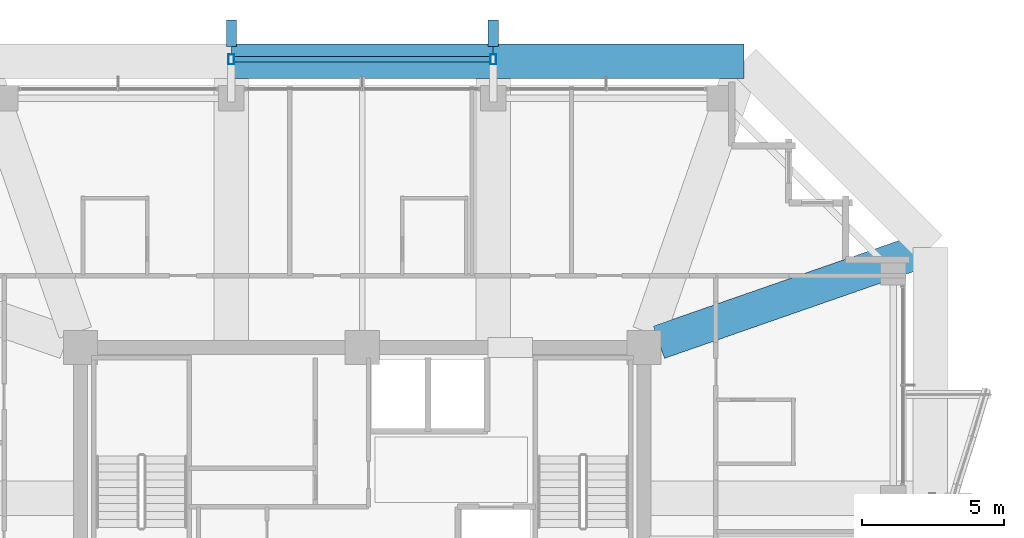
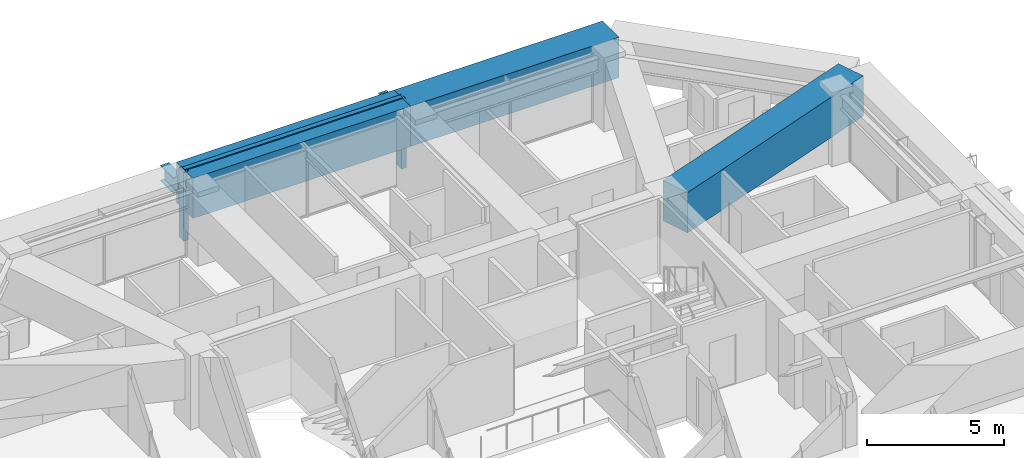
# One storey, part 26 of 40: 5 beams, 3 members.
"""IFC4 building model written with IfcOpenShell, lengths in metres."""

from ifc_helpers import new_model, si_unit, direction, frame, origin, origin_2d, place, context, subcontext, project, spatial, rectangle, hollow_rectangle, i_section, extrude, material, material_profile, profile_set, type_object, element, save


model = new_model("IFC4")

# Units and contexts
model_context = context("Model", 3, precision=1e-05, world=origin(), true_north=direction((0.0, 1.0)))
body_context = subcontext(model_context, "Body", "Model", "MODEL_VIEW")
ifc_project = project(units=[si_unit("LENGTHUNIT", "METRE"), si_unit("AREAUNIT", "SQUARE_METRE"), si_unit("VOLUMEUNIT", "CUBIC_METRE"), si_unit("PLANEANGLEUNIT", "RADIAN"), si_unit("MASSUNIT", "GRAM", prefix="KILO")], contexts=[model_context])

# Site, building, storey
site_placement = place(None, origin())
site = spatial("IfcSite", under=ifc_project, at=site_placement, CompositionType="ELEMENT")
building_placement = place(site_placement, origin())
building = spatial("IfcBuilding", under=site, at=building_placement, Name="Kolvaren Belvedere", CompositionType="ELEMENT")
storey_placement = place(building_placement, frame((0.0, 0.0, 170.10009765625)))
storey = spatial("IfcBuildingStorey", under=building, at=storey_placement, Name="L49", CompositionType="ELEMENT", Elevation=170.10009765625)

# Beams
ifc_material_1 = material(Name="Structural steel ASTM A992 Grade 50", Category="steel")
ifc_material_profile_1 = material_profile(ifc_material_1, i_section(OverallWidth=0.35498046875, OverallDepth=0.696044921875, WebThickness=0.015380859375, FlangeThickness=0.02490234375, FilletRadius=0.02197265625, at=origin_2d()), Name="W27X146")
ifc_profile_set_1 = profile_set([ifc_material_profile_1], Name="Structural steel ASTM A992 Grade 50")
beam_type_1 = type_object("IfcBeamType", Name="BM-CANT-BAL", PredefinedType="BEAM", material=ifc_profile_set_1)
for number, where, z_axis, x_axis, name in (
    (1, (4.60009765625, 20.469970703125, 2.141845703125), (0.0, 1.0, 0.0), (-1.0, 0.0, 0.0), "L49 North Picture-Frame Column Corbel P"),
    (2, (-4.60009765625, 20.469970703125, 2.141845703125), (0.0, 1.0, 0.0), (-1.0, 0.0, 0.0), "L49 North Picture-Frame Column Corbel M"),
):
    element("IfcBeam", number, at=place(storey_placement, frame(where, z_axis=z_axis, x_axis=x_axis)), inside=storey, type_object=beam_type_1, Name=name, PredefinedType="BEAM", context=body_context, shape_type="SweptSolid", body=[
        extrude(i_section(OverallWidth=0.35498046875, OverallDepth=0.696044921875, WebThickness=0.015380859375, FlangeThickness=0.02490234375, FilletRadius=0.02197265625, at=origin_2d()), origin(), (0.0, 0.0, 1.0), 0.929931640625),
    ])
ifc_material_2 = material(Name="Concrete C50/60", Category="concrete")
ifc_material_profile_2 = material_profile(ifc_material_2, rectangle(XDim=1.199951171875, YDim=1.800048828125, at=origin_2d()), Name="RC 1200X1800")
ifc_profile_set_2 = profile_set([ifc_material_profile_2], Name="Concrete C50/60")
beam_type_2 = type_object("IfcBeamType", Name="BM-TG-1800", PredefinedType="BEAM", material=ifc_profile_set_2)
beam_1_placement = place(storey_placement, frame((13.39990234375, 19.949951171875, 2.179931640625), z_axis=(-1.0, 0.0, 0.0), x_axis=(0.0, -1.0, 0.0)))
element("IfcBeam", 3, at=beam_1_placement, inside=storey, type_object=beam_type_2, Name="L49 Step Transfer Ring Girder N4-N3", PredefinedType="BEAM", context=body_context, shape_type="SweptSolid", body=[
    extrude(rectangle(XDim=1.199951171875, YDim=1.800048828125, at=origin_2d()), origin(), (0.0, 0.0, 1.0), 8.7998046875),
])
beam_2_placement = place(storey_placement, frame((4.60009765625, 19.949951171875, 2.179931640625), z_axis=(-1.0, 0.0, 0.0), x_axis=(0.0, -1.0, 0.0)))
element("IfcBeam", 4, at=beam_2_placement, inside=storey, type_object=beam_type_2, Name="L49 Step Transfer Ring Girder N3-N2", PredefinedType="BEAM", context=body_context, shape_type="SweptSolid", body=[
    extrude(rectangle(XDim=1.199951171875, YDim=1.800048828125, at=origin_2d()), origin(), (0.0, 0.0, 1.0), 9.2001953125),
])
beam_3_placement = place(storey_placement, frame((10.41943359375, 10.080810546875, 2.179931640625), z_axis=(0.944363863132, 0.328902560054, 0.0), x_axis=(-0.328902560054, 0.944363863132, 0.0)))
element("IfcBeam", 5, at=beam_3_placement, inside=storey, type_object=beam_type_2, Name="L49 Corner Core-to-Perimeter Girder CC3-E4", PredefinedType="BEAM", context=body_context, shape_type="SweptSolid", body=[
    extrude(rectangle(XDim=1.199951171875, YDim=1.800048828125, at=origin_2d()), origin(), (0.0, 0.0, 1.0), 9.842041015625),
])

# Members
ifc_material_3 = material(Name="Anodised pale-metal aluminium AA 6063-T6", Category="aluminium")
ifc_material_profile_3 = material_profile(ifc_material_3, hollow_rectangle(XDim=0.199951171875, YDim=0.35009765625, WallThickness=0.007568359375, at=origin_2d()), Name="ALU-PF-350X200")
ifc_profile_set_3 = profile_set([ifc_material_profile_3], Name="Anodised pale-metal aluminium AA 6063-T6")
member_type = type_object("IfcMemberType", Name="PF-FRAME-350", PredefinedType="USERDEFINED", material=ifc_profile_set_3)
for number, where, z_axis, x_axis, name in (
    (6, (-4.60009765625, 20.02001953125, 0.0), (0.0, 0.0, 1.0), (1.0, 0.0, 0.0), "L49 Outboard Picture-Frame Vertical N1"),
    (7, (4.60009765625, 20.02001953125, 0.0), (0.0, 0.0, 1.0), (1.0, 0.0, 0.0), "L49 Outboard Picture-Frame Vertical N2"),
):
    element("IfcMember", number, at=place(storey_placement, frame(where, z_axis=z_axis, x_axis=x_axis)), inside=storey, type_object=member_type, Name=name, ObjectType="PICTURE FRAME FIN", PredefinedType="USERDEFINED", context=body_context, shape_type="SweptSolid", body=[
        extrude(hollow_rectangle(XDim=0.199951171875, YDim=0.35009765625, WallThickness=0.007568359375, at=origin_2d()), origin(), (0.0, 0.0, 1.0), 3.079833984375),
    ])
member_placement = place(storey_placement, frame((-4.60009765625, 20.02001953125, 2.949951171875), z_axis=(1.0, 0.0, 0.0), x_axis=(0.0, 1.0, 0.0)))
element("IfcMember", 8, at=member_placement, inside=storey, type_object=member_type, Name="L49 Outboard Picture-Frame Head N", ObjectType="PICTURE FRAME FIN", PredefinedType="USERDEFINED", context=body_context, shape_type="SweptSolid", body=[
    extrude(hollow_rectangle(XDim=0.199951171875, YDim=0.35009765625, WallThickness=0.007568359375, at=origin_2d()), origin(), (0.0, 0.0, 1.0), 9.2001953125),
])

save(model, "model.ifc")
